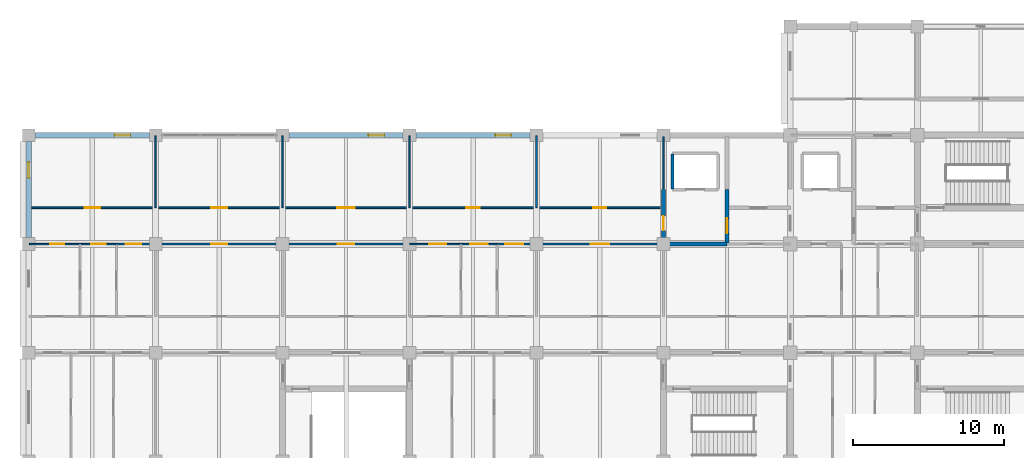
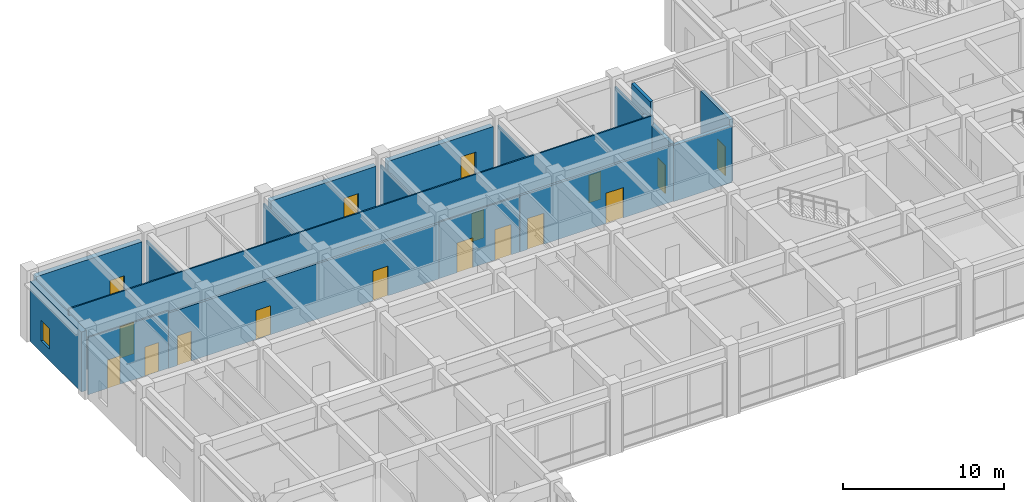
# One storey, part 40 of 58: 18 walls, 16 doors, 4 windows, 20 openings.
"""IFC4 building model written with IfcOpenShell, lengths in metres."""

from ifc_helpers import new_model, si_unit, direction, frame, frame_2d, origin, place, context, subcontext, project, spatial, rectangle, extrude, material, layer, layer_set, type_object, element, fill, save


model = new_model("IFC4")

# Units and contexts
model_context = context("Model", 3, precision=1e-05, world=origin(), true_north=direction((0.0, 1.0)))
body_context = subcontext(model_context, "Body", "Model", "MODEL_VIEW")
ifc_project = project(units=[si_unit("LENGTHUNIT", "METRE"), si_unit("AREAUNIT", "SQUARE_METRE"), si_unit("VOLUMEUNIT", "CUBIC_METRE"), si_unit("PLANEANGLEUNIT", "RADIAN"), si_unit("MASSUNIT", "GRAM", prefix="KILO")], contexts=[model_context])

# Site, building, storey
site_placement = place(None, origin())
site = spatial("IfcSite", under=ifc_project, at=site_placement, CompositionType="ELEMENT")
building_placement = place(site_placement, origin())
building = spatial("IfcBuilding", under=site, at=building_placement, Name="Chengyuan Square Courthouse", CompositionType="ELEMENT")
storey_placement = place(building_placement, frame((0.0, 0.0, 16.199951171875)))
storey = spatial("IfcBuildingStorey", under=building, at=storey_placement, Name="L04", CompositionType="ELEMENT", Elevation=16.199951171875)

# Wall, opening, window
ifc_material_1 = material(Name="Concrete C40", Category="concrete")
ifc_layer_1 = layer(ifc_material_1, 0.3798828125)
ifc_layer_set_1 = layer_set([ifc_layer_1], Name="Concrete C40")
wall_type_1 = type_object("IfcWallType", Name="WL-EW1", PredefinedType="STANDARD", material=ifc_layer_set_1)
wall_1_placement = place(storey_placement, frame((0.419921875, 108.0, 0.0), z_axis=(0.0, 0.0, 1.0), x_axis=(1.0, 0.0, 0.0)))
wall_1 = element("IfcWall", 1, at=wall_1_placement, inside=storey, type_object=wall_type_1, Name="Exterior Wall WL-L04-E303", PredefinedType="STANDARD", context=body_context, shape_type="SweptSolid", body=[
    extrude(rectangle(XDim=7.56005859375, YDim=0.3798828125, at=frame_2d((3.780029296875, 0.0))), origin(), (0.0, 0.0, 1.0), 4.550048828125),
])
opening_1_placement = place(wall_1_placement, frame((5.2548828125, 0.0, 0.85009765625)))
opening_1 = element("IfcOpeningElement", 2, at=opening_1_placement, cuts=wall_1, Name="Opening WN-089", PredefinedType="OPENING", context=body_context, shape_type="SweptSolid", body=[
    extrude(rectangle(XDim=1.050048828125, YDim=1.56005859375, at=frame_2d((0.52490234375, 0.780029296875))), frame((0.0, 0.201904296875, 0.0), z_axis=(0.0, -1.0, 0.0), x_axis=(1.0, 0.0, 0.0)), (0.0, 0.0, 1.0), 0.40380859375),
])
ifc_material_2 = material(Name="Thermally Broken Aluminium Triple Low-E Window", Category="aluminium")
window_type_1 = type_object("IfcWindowType", Name="WT-09", PartitioningType="SINGLE_PANEL", PredefinedType="WINDOW", material=ifc_material_2)
window_1_placement = place(opening_1_placement, origin())
window_1 = element("IfcWindow", 3, at=window_1_placement, inside=storey, type_object=window_type_1, Name="Facade Window WN-089", OverallHeight=1.56005859375, OverallWidth=1.050048828125, PartitioningType="SINGLE_PANEL", PredefinedType="WINDOW", context=body_context, shape_type="SweptSolid", body=[
    extrude(rectangle(XDim=1.050048828125, YDim=1.56005859375, at=frame_2d((0.52490234375, 0.780029296875))), frame((0.0, 0.030029296875, 0.0), z_axis=(0.0, -1.0, 0.0), x_axis=(1.0, 0.0, 0.0)), (0.0, 0.0, 1.0), 0.06005859375),
])
fill(opening_1, window_1)

wall_2_placement = place(storey_placement, frame((0.0, 101.219970703125, 0.0), z_axis=(0.0, 0.0, 1.0), x_axis=(0.0, 1.0, 0.0)))
wall_2 = element("IfcWall", 4, at=wall_2_placement, inside=storey, type_object=wall_type_1, Name="Exterior Wall WL-L04-E304", PredefinedType="STANDARD", context=body_context, shape_type="SweptSolid", body=[
    extrude(rectangle(XDim=6.360107421875, YDim=0.3798828125, at=frame_2d((3.18017578125, 0.0))), origin(), (0.0, 0.0, 1.0), 4.550048828125),
])
opening_2_placement = place(wall_2_placement, frame((3.955078125, 0.0, 0.85009765625)))
opening_2 = element("IfcOpeningElement", 5, at=opening_2_placement, cuts=wall_2, Name="Opening WN-090", PredefinedType="OPENING", context=body_context, shape_type="SweptSolid", body=[
    extrude(rectangle(XDim=1.050048828125, YDim=1.56005859375, at=frame_2d((0.52490234375, 0.780029296875))), frame((0.0, 0.201904296875, 0.0), z_axis=(0.0, -1.0, 0.0), x_axis=(1.0, 0.0, 0.0)), (0.0, 0.0, 1.0), 0.40380859375),
])
window_2_placement = place(opening_2_placement, origin())
window_2 = element("IfcWindow", 6, at=window_2_placement, inside=storey, type_object=window_type_1, Name="Facade Window WN-090", OverallHeight=1.56005859375, OverallWidth=1.050048828125, PartitioningType="SINGLE_PANEL", PredefinedType="WINDOW", context=body_context, shape_type="SweptSolid", body=[
    extrude(rectangle(XDim=1.050048828125, YDim=1.56005859375, at=frame_2d((0.52490234375, 0.780029296875))), frame((0.0, 0.030029296875, 0.0), z_axis=(0.0, -1.0, 0.0), x_axis=(1.0, 0.0, 0.0)), (0.0, 0.0, 1.0), 0.06005859375),
])
fill(opening_2, window_2)

wall_3_placement = place(storey_placement, frame((17.219970703125, 108.0, 0.0), z_axis=(0.0, 0.0, 1.0), x_axis=(1.0, 0.0, 0.0)))
wall_3 = element("IfcWall", 7, at=wall_3_placement, inside=storey, type_object=wall_type_1, Name="Exterior Wall WL-L04-E310", PredefinedType="STANDARD", context=body_context, shape_type="SweptSolid", body=[
    extrude(rectangle(XDim=7.56005859375, YDim=0.3798828125, at=frame_2d((3.780029296875, 0.0))), origin(), (0.0, 0.0, 1.0), 4.400146484375),
])
opening_3_placement = place(wall_3_placement, frame((5.2548828125, 0.0, 0.85009765625)))
opening_3 = element("IfcOpeningElement", 8, at=opening_3_placement, cuts=wall_3, Name="Opening WN-094", PredefinedType="OPENING", context=body_context, shape_type="SweptSolid", body=[
    extrude(rectangle(XDim=1.050048828125, YDim=1.919921875, at=frame_2d((0.52490234375, 0.9599609375))), frame((0.0, 0.201904296875, 0.0), z_axis=(0.0, -1.0, 0.0), x_axis=(1.0, 0.0, 0.0)), (0.0, 0.0, 1.0), 0.40380859375),
])
window_type_2 = type_object("IfcWindowType", Name="WT-11", PartitioningType="SINGLE_PANEL", PredefinedType="WINDOW", material=ifc_material_2)
window_3_placement = place(opening_3_placement, origin())
window_3 = element("IfcWindow", 9, at=window_3_placement, inside=storey, type_object=window_type_2, Name="Facade Window WN-094", OverallHeight=1.919921875, OverallWidth=1.050048828125, PartitioningType="SINGLE_PANEL", PredefinedType="WINDOW", context=body_context, shape_type="SweptSolid", body=[
    extrude(rectangle(XDim=1.050048828125, YDim=1.919921875, at=frame_2d((0.52490234375, 0.9599609375))), frame((0.0, 0.030029296875, 0.0), z_axis=(0.0, -1.0, 0.0), x_axis=(1.0, 0.0, 0.0)), (0.0, 0.0, 1.0), 0.06005859375),
])
fill(opening_3, window_3)

wall_4_placement = place(storey_placement, frame((25.6201171875, 108.0, 0.0), z_axis=(0.0, 0.0, 1.0), x_axis=(1.0, 0.0, 0.0)))
wall_4 = element("IfcWall", 10, at=wall_4_placement, inside=storey, type_object=wall_type_1, Name="Exterior Wall WL-L04-E311", PredefinedType="STANDARD", context=body_context, shape_type="SweptSolid", body=[
    extrude(rectangle(XDim=7.559814453125, YDim=0.3798828125, at=frame_2d((3.77978515625, 0.0))), origin(), (0.0, 0.0, 1.0), 4.469970703125),
])
opening_4_placement = place(wall_4_placement, frame((5.2548828125, 0.0, 0.85009765625)))
opening_4 = element("IfcOpeningElement", 11, at=opening_4_placement, cuts=wall_4, Name="Opening WN-095", PredefinedType="OPENING", context=body_context, shape_type="SweptSolid", body=[
    extrude(rectangle(XDim=1.050048828125, YDim=2.1201171875, at=frame_2d((0.52490234375, 1.06005859375))), frame((0.0, 0.201904296875, 0.0), z_axis=(0.0, -1.0, 0.0), x_axis=(1.0, 0.0, 0.0)), (0.0, 0.0, 1.0), 0.40380859375),
])
window_type_3 = type_object("IfcWindowType", Name="WT-12", PartitioningType="SINGLE_PANEL", PredefinedType="WINDOW", material=ifc_material_2)
window_4_placement = place(opening_4_placement, origin())
window_4 = element("IfcWindow", 12, at=window_4_placement, inside=storey, type_object=window_type_3, Name="Facade Window WN-095", OverallHeight=2.1201171875, OverallWidth=1.050048828125, PartitioningType="SINGLE_PANEL", PredefinedType="WINDOW", context=body_context, shape_type="SweptSolid", body=[
    extrude(rectangle(XDim=1.050048828125, YDim=2.1201171875, at=frame_2d((0.52490234375, 1.06005859375))), frame((0.0, 0.030029296875, 0.0), z_axis=(0.0, -1.0, 0.0), x_axis=(1.0, 0.0, 0.0)), (0.0, 0.0, 1.0), 0.06005859375),
])
fill(opening_4, window_4)

# Wall
ifc_layer_2 = layer(ifc_material_1, 0.25)
ifc_layer_set_2 = layer_set([ifc_layer_2], Name="Concrete C40")
wall_type_2 = type_object("IfcWallType", Name="WL-FW1", PredefinedType="STANDARD", material=ifc_layer_set_2)
wall_5_placement = place(storey_placement, frame((42.0, 100.800048828125, 0.0), z_axis=(0.0, 0.0, 1.0), x_axis=(1.0, 0.0, 0.0)))
element("IfcWall", 13, at=wall_5_placement, inside=storey, type_object=wall_type_2, Name="Interior Wall WL-L04-I1840", PredefinedType="STANDARD", context=body_context, shape_type="SweptSolid", body=[
    extrude(rectangle(XDim=4.199951171875, YDim=0.25, at=frame_2d((2.10009765625, 0.0))), origin(), (0.0, 0.0, 1.0), 4.27001953125),
])

# Wall, opening, door
wall_6_placement = place(storey_placement, frame((42.0, 100.800048828125, 0.0), z_axis=(0.0, 0.0, 1.0), x_axis=(0.0, 1.0, 0.0)))
wall_6 = element("IfcWall", 14, at=wall_6_placement, inside=storey, type_object=wall_type_2, Name="Interior Wall WL-L04-I1949", PredefinedType="STANDARD", context=body_context, shape_type="SweptSolid", body=[
    extrude(rectangle(XDim=3.599853515625, YDim=0.25, at=frame_2d((1.7998046875, 0.0))), origin(), (0.0, 0.0, 1.0), 4.3701171875),
])
opening_5_placement = place(wall_6_placement, frame((0.8974609375, 0.0, 0.0)))
opening_5 = element("IfcOpeningElement", 15, at=opening_5_placement, cuts=wall_6, Name="Opening DR-1678", PredefinedType="OPENING", context=body_context, shape_type="SweptSolid", body=[
    extrude(rectangle(XDim=0.949951171875, YDim=2.14990234375, at=frame_2d((0.47509765625, 1.074951171875))), frame((0.0, 0.136962890625, 0.0), z_axis=(0.0, -1.0, 0.0), x_axis=(1.0, 0.0, 0.0)), (0.0, 0.0, 1.0), 0.27392578125),
])
ifc_material_3 = material(Name="Steel Q235B Fire Door", Category="steel")
door_type_1 = type_object("IfcDoorType", Name="DT-12", OperationType="NOTDEFINED", PredefinedType="DOOR", material=ifc_material_3)
door_1_placement = place(opening_5_placement, origin())
door_1 = element("IfcDoor", 16, at=door_1_placement, inside=storey, type_object=door_type_1, Name="Interior Door DR-1678", OperationType="SINGLE_SWING_RIGHT", OverallHeight=2.14990234375, OverallWidth=0.949951171875, PredefinedType="DOOR", context=body_context, shape_type="SweptSolid", body=[
    extrude(rectangle(XDim=0.949951171875, YDim=2.14990234375, at=frame_2d((0.47509765625, 1.074951171875))), frame((0.0, 0.02490234375, 0.0), z_axis=(0.0, -1.0, 0.0), x_axis=(1.0, 0.0, 0.0)), (0.0, 0.0, 1.0), 0.050048828125),
])
fill(opening_5, door_1)

wall_7_placement = place(storey_placement, frame((46.199951171875, 100.800048828125, 0.0), z_axis=(0.0, 0.0, 1.0), x_axis=(0.0, 1.0, 0.0)))
wall_7 = element("IfcWall", 17, at=wall_7_placement, inside=storey, type_object=wall_type_2, Name="Interior Wall WL-L04-I1953", PredefinedType="STANDARD", context=body_context, shape_type="SweptSolid", body=[
    extrude(rectangle(XDim=3.599853515625, YDim=0.25, at=frame_2d((1.7998046875, 0.0))), origin(), (0.0, 0.0, 1.0), 4.719970703125),
])
opening_6_placement = place(wall_7_placement, frame((0.699951171875, 0.0, 0.0)))
opening_6 = element("IfcOpeningElement", 18, at=opening_6_placement, cuts=wall_7, Name="Opening DR-1677", PredefinedType="OPENING", context=body_context, shape_type="SweptSolid", body=[
    extrude(rectangle(XDim=1.0, YDim=2.199951171875, at=frame_2d((0.5, 1.10009765625))), frame((0.0, 0.136962890625, 0.0), z_axis=(0.0, -1.0, 0.0), x_axis=(1.0, 0.0, 0.0)), (0.0, 0.0, 1.0), 0.27392578125),
])
door_type_2 = type_object("IfcDoorType", Name="DT-11", OperationType="NOTDEFINED", PredefinedType="DOOR", material=ifc_material_3)
door_2_placement = place(opening_6_placement, origin())
door_2 = element("IfcDoor", 19, at=door_2_placement, inside=storey, type_object=door_type_2, Name="Interior Door DR-1677", OperationType="SINGLE_SWING_LEFT", OverallHeight=2.199951171875, OverallWidth=1.0, PredefinedType="DOOR", context=body_context, shape_type="SweptSolid", body=[
    extrude(rectangle(XDim=1.0, YDim=2.199951171875, at=frame_2d((0.5, 1.10009765625))), frame((0.0, 0.02490234375, 0.0), z_axis=(0.0, -1.0, 0.0), x_axis=(1.0, 0.0, 0.0)), (0.0, 0.0, 1.0), 0.050048828125),
])
fill(opening_6, door_2)

# Wall, openings, doors
ifc_material_4 = material(Name="Deliberation Room Sound-Insulated Partition")
ifc_layer_3 = layer(ifc_material_4, 0.14990234375)
ifc_layer_set_3 = layer_set([ifc_layer_3], Name="Deliberation Room Sound-Insulated Partition")
wall_type_3 = type_object("IfcWallType", Name="WL-PT3", PredefinedType="STANDARD", material=ifc_layer_set_3)
wall_8_placement = place(storey_placement, frame((5.800048828125, 100.800048828125, 0.0), z_axis=(0.0, 0.0, 1.0), x_axis=(1.0, 0.0, 0.0)))
wall_8 = element("IfcWall", 20, at=wall_8_placement, inside=storey, type_object=wall_type_3, Name="Interior Wall WL-L04-I1837", PredefinedType="STANDARD", context=body_context, shape_type="SweptSolid", body=[
    extrude(rectangle(XDim=19.39990234375, YDim=0.14990234375, at=frame_2d((9.699951171875, 0.0))), origin(), (0.0, 0.0, 1.0), 4.199951171875),
])
opening_7_placement = place(wall_8_placement, frame((0.62744140625, 0.0, 0.0)))
opening_7 = element("IfcOpeningElement", 21, at=opening_7_placement, cuts=wall_8, Name="Opening DR-1717", PredefinedType="OPENING", context=body_context, shape_type="SweptSolid", body=[
    extrude(rectangle(XDim=1.0, YDim=2.25, at=frame_2d((0.5, 1.125))), frame((0.0, 0.0869140625, 0.0), z_axis=(0.0, -1.0, 0.0), x_axis=(1.0, 0.0, 0.0)), (0.0, 0.0, 1.0), 0.173828125),
])
opening_8_placement = place(wall_8_placement, frame((6.280029296875, 0.0, 0.0)))
opening_8 = element("IfcOpeningElement", 22, at=opening_8_placement, cuts=wall_8, Name="Opening DR-1718", PredefinedType="OPENING", context=body_context, shape_type="SweptSolid", body=[
    extrude(rectangle(XDim=1.0400390625, YDim=2.199951171875, at=frame_2d((0.52001953125, 1.10009765625))), frame((0.0, 0.0869140625, 0.0), z_axis=(0.0, -1.0, 0.0), x_axis=(1.0, 0.0, 0.0)), (0.0, 0.0, 1.0), 0.173828125),
])
opening_9_placement = place(wall_8_placement, frame((14.659912109375, 0.0, 0.0)))
opening_9 = element("IfcOpeningElement", 23, at=opening_9_placement, cuts=wall_8, Name="Opening DR-1719", PredefinedType="OPENING", context=body_context, shape_type="SweptSolid", body=[
    extrude(rectangle(XDim=1.080078125, YDim=2.25, at=frame_2d((0.5400390625, 1.125))), frame((0.0, 0.0869140625, 0.0), z_axis=(0.0, -1.0, 0.0), x_axis=(1.0, 0.0, 0.0)), (0.0, 0.0, 1.0), 0.173828125),
])
ifc_material_5 = material(Name="Acoustic Solid-Core Timber Door", Category="wood")
door_type_3 = type_object("IfcDoorType", Name="DT-31", OperationType="NOTDEFINED", PredefinedType="DOOR", material=ifc_material_5)
door_3_placement = place(opening_7_placement, origin())
door_3 = element("IfcDoor", 24, at=door_3_placement, inside=storey, type_object=door_type_3, Name="Interior Door DR-1717", OperationType="SINGLE_SWING_RIGHT", OverallHeight=2.25, OverallWidth=1.0, PredefinedType="DOOR", context=body_context, shape_type="SweptSolid", body=[
    extrude(rectangle(XDim=1.0, YDim=2.25, at=frame_2d((0.5, 1.125))), frame((0.0, 0.02490234375, 0.0), z_axis=(0.0, -1.0, 0.0), x_axis=(1.0, 0.0, 0.0)), (0.0, 0.0, 1.0), 0.050048828125),
])
fill(opening_7, door_3)
door_type_4 = type_object("IfcDoorType", Name="DT-32", OperationType="NOTDEFINED", PredefinedType="DOOR", material=ifc_material_5)
door_4_placement = place(opening_8_placement, origin())
door_4 = element("IfcDoor", 25, at=door_4_placement, inside=storey, type_object=door_type_4, Name="Interior Door DR-1718", OperationType="SINGLE_SWING_LEFT", OverallHeight=2.199951171875, OverallWidth=1.0400390625, PredefinedType="DOOR", context=body_context, shape_type="SweptSolid", body=[
    extrude(rectangle(XDim=1.0400390625, YDim=2.199951171875, at=frame_2d((0.52001953125, 1.10009765625))), frame((0.0, 0.02490234375, 0.0), z_axis=(0.0, -1.0, 0.0), x_axis=(1.0, 0.0, 0.0)), (0.0, 0.0, 1.0), 0.050048828125),
])
fill(opening_8, door_4)
door_type_5 = type_object("IfcDoorType", Name="DT-33", OperationType="NOTDEFINED", PredefinedType="DOOR", material=ifc_material_5)
door_5_placement = place(opening_9_placement, origin())
door_5 = element("IfcDoor", 26, at=door_5_placement, inside=storey, type_object=door_type_5, Name="Interior Door DR-1719", OperationType="SINGLE_SWING_RIGHT", OverallHeight=2.25, OverallWidth=1.080078125, PredefinedType="DOOR", context=body_context, shape_type="SweptSolid", body=[
    extrude(rectangle(XDim=1.080078125, YDim=2.25, at=frame_2d((0.5400390625, 1.125))), frame((0.0, 0.02490234375, 0.0), z_axis=(0.0, -1.0, 0.0), x_axis=(1.0, 0.0, 0.0)), (0.0, 0.0, 1.0), 0.050048828125),
])
fill(opening_9, door_5)

wall_9_placement = place(storey_placement, frame((31.0, 100.800048828125, 0.0), z_axis=(0.0, 0.0, 1.0), x_axis=(1.0, 0.0, 0.0)))
wall_9 = element("IfcWall", 27, at=wall_9_placement, inside=storey, type_object=wall_type_3, Name="Interior Wall WL-L04-I1839", PredefinedType="STANDARD", context=body_context, shape_type="SweptSolid", body=[
    extrude(rectangle(XDim=11.0, YDim=0.14990234375, at=frame_2d((5.5, 0.0))), origin(), (0.0, 0.0, 1.0), 4.27001953125),
])
opening_10_placement = place(wall_9_placement, frame((0.527587890625, 0.0, 0.0)))
opening_10 = element("IfcOpeningElement", 28, at=opening_10_placement, cuts=wall_9, Name="Opening DR-1722", PredefinedType="OPENING", context=body_context, shape_type="SweptSolid", body=[
    extrude(rectangle(XDim=1.199951171875, YDim=2.35009765625, at=frame_2d((0.60009765625, 1.175048828125))), frame((0.0, 0.0869140625, 0.0), z_axis=(0.0, -1.0, 0.0), x_axis=(1.0, 0.0, 0.0)), (0.0, 0.0, 1.0), 0.173828125),
])
opening_11_placement = place(wall_9_placement, frame((6.179931640625, 0.0, 0.0)))
opening_11 = element("IfcOpeningElement", 29, at=opening_11_placement, cuts=wall_9, Name="Opening DR-1723", PredefinedType="OPENING", context=body_context, shape_type="SweptSolid", body=[
    extrude(rectangle(XDim=1.239990234375, YDim=2.300048828125, at=frame_2d((0.6201171875, 1.14990234375))), frame((0.0, 0.0869140625, 0.0), z_axis=(0.0, -1.0, 0.0), x_axis=(1.0, 0.0, 0.0)), (0.0, 0.0, 1.0), 0.173828125),
])
door_type_6 = type_object("IfcDoorType", Name="DT-36", OperationType="NOTDEFINED", PredefinedType="DOOR", material=ifc_material_5)
door_6_placement = place(opening_10_placement, origin())
door_6 = element("IfcDoor", 30, at=door_6_placement, inside=storey, type_object=door_type_6, Name="Interior Door DR-1722", OperationType="SINGLE_SWING_LEFT", OverallHeight=2.35009765625, OverallWidth=1.199951171875, PredefinedType="DOOR", context=body_context, shape_type="SweptSolid", body=[
    extrude(rectangle(XDim=1.199951171875, YDim=2.35009765625, at=frame_2d((0.60009765625, 1.175048828125))), frame((0.0, 0.02490234375, 0.0), z_axis=(0.0, -1.0, 0.0), x_axis=(1.0, 0.0, 0.0)), (0.0, 0.0, 1.0), 0.050048828125),
])
fill(opening_10, door_6)
door_type_7 = type_object("IfcDoorType", Name="DT-37", OperationType="NOTDEFINED", PredefinedType="DOOR", material=ifc_material_5)
door_7_placement = place(opening_11_placement, origin())
door_7 = element("IfcDoor", 31, at=door_7_placement, inside=storey, type_object=door_type_7, Name="Interior Door DR-1723", OperationType="SINGLE_SWING_RIGHT", OverallHeight=2.300048828125, OverallWidth=1.239990234375, PredefinedType="DOOR", context=body_context, shape_type="SweptSolid", body=[
    extrude(rectangle(XDim=1.239990234375, YDim=2.300048828125, at=frame_2d((0.6201171875, 1.14990234375))), frame((0.0, 0.02490234375, 0.0), z_axis=(0.0, -1.0, 0.0), x_axis=(1.0, 0.0, 0.0)), (0.0, 0.0, 1.0), 0.050048828125),
])
fill(opening_11, door_7)

ifc_material_6 = material(Name="Gypsum Plasterboard Acoustic Stud Partition")
ifc_layer_4 = layer(ifc_material_6, 0.10009765625)
ifc_layer_set_4 = layer_set([ifc_layer_4], Name="Gypsum Plasterboard Acoustic Stud Partition")
wall_type_4 = type_object("IfcWallType", Name="WL-PT6", PredefinedType="STANDARD", material=ifc_layer_set_4)
wall_10_placement = place(storey_placement, frame((0.0400390625, 100.800048828125, 0.0), z_axis=(0.0, 0.0, 1.0), x_axis=(1.0, 0.0, 0.0)))
wall_10 = element("IfcWall", 32, at=wall_10_placement, inside=storey, type_object=wall_type_4, Name="Interior Wall WL-L04-I1836", PredefinedType="STANDARD", context=body_context, shape_type="SweptSolid", body=[
    extrude(rectangle(XDim=5.760009765625, YDim=0.10009765625, at=frame_2d((2.8798828125, 0.0))), origin(), (0.0, 0.0, 1.0), 4.35009765625),
])
opening_12_placement = place(wall_10_placement, frame((1.37255859375, 0.0, 0.0)))
opening_12 = element("IfcOpeningElement", 33, at=opening_12_placement, cuts=wall_10, Name="Opening DR-1715", PredefinedType="OPENING", context=body_context, shape_type="SweptSolid", body=[
    extrude(rectangle(XDim=0.919921875, YDim=2.14990234375, at=frame_2d((0.4599609375, 1.074951171875))), frame((0.0, 0.06201171875, 0.0), z_axis=(0.0, -1.0, 0.0), x_axis=(1.0, 0.0, 0.0)), (0.0, 0.0, 1.0), 0.1240234375),
])
opening_13_placement = place(wall_10_placement, frame((4.080078125, 0.0, 0.0)))
opening_13 = element("IfcOpeningElement", 34, at=opening_13_placement, cuts=wall_10, Name="Opening DR-1716", PredefinedType="OPENING", context=body_context, shape_type="SweptSolid", body=[
    extrude(rectangle(XDim=0.9599609375, YDim=2.199951171875, at=frame_2d((0.47998046875, 1.10009765625))), frame((0.0, 0.06201171875, 0.0), z_axis=(0.0, -1.0, 0.0), x_axis=(1.0, 0.0, 0.0)), (0.0, 0.0, 1.0), 0.1240234375),
])
door_type_8 = type_object("IfcDoorType", Name="DT-29", OperationType="NOTDEFINED", PredefinedType="DOOR", material=ifc_material_5)
door_8_placement = place(opening_12_placement, origin())
door_8 = element("IfcDoor", 35, at=door_8_placement, inside=storey, type_object=door_type_8, Name="Interior Door DR-1715", OperationType="SINGLE_SWING_RIGHT", OverallHeight=2.14990234375, OverallWidth=0.919921875, PredefinedType="DOOR", context=body_context, shape_type="SweptSolid", body=[
    extrude(rectangle(XDim=0.919921875, YDim=2.14990234375, at=frame_2d((0.4599609375, 1.074951171875))), frame((0.0, 0.02490234375, 0.0), z_axis=(0.0, -1.0, 0.0), x_axis=(1.0, 0.0, 0.0)), (0.0, 0.0, 1.0), 0.050048828125),
])
fill(opening_12, door_8)
door_type_9 = type_object("IfcDoorType", Name="DT-30", OperationType="NOTDEFINED", PredefinedType="DOOR", material=ifc_material_5)
door_9_placement = place(opening_13_placement, origin())
door_9 = element("IfcDoor", 36, at=door_9_placement, inside=storey, type_object=door_type_9, Name="Interior Door DR-1716", OperationType="SINGLE_SWING_LEFT", OverallHeight=2.199951171875, OverallWidth=0.9599609375, PredefinedType="DOOR", context=body_context, shape_type="SweptSolid", body=[
    extrude(rectangle(XDim=0.9599609375, YDim=2.199951171875, at=frame_2d((0.47998046875, 1.10009765625))), frame((0.0, 0.02490234375, 0.0), z_axis=(0.0, -1.0, 0.0), x_axis=(1.0, 0.0, 0.0)), (0.0, 0.0, 1.0), 0.050048828125),
])
fill(opening_13, door_9)

wall_11_placement = place(storey_placement, frame((25.199951171875, 100.800048828125, 0.0), z_axis=(0.0, 0.0, 1.0), x_axis=(1.0, 0.0, 0.0)))
wall_11 = element("IfcWall", 37, at=wall_11_placement, inside=storey, type_object=wall_type_4, Name="Interior Wall WL-L04-I1838", PredefinedType="STANDARD", context=body_context, shape_type="SweptSolid", body=[
    extrude(rectangle(XDim=5.800048828125, YDim=0.10009765625, at=frame_2d((2.89990234375, 0.0))), origin(), (0.0, 0.0, 1.0), 4.27001953125),
])
opening_14_placement = place(wall_11_placement, frame((1.3125, 0.0, 0.0)))
opening_14 = element("IfcOpeningElement", 38, at=opening_14_placement, cuts=wall_11, Name="Opening DR-1720", PredefinedType="OPENING", context=body_context, shape_type="SweptSolid", body=[
    extrude(rectangle(XDim=1.1201171875, YDim=2.25, at=frame_2d((0.56005859375, 1.125))), frame((0.0, 0.06201171875, 0.0), z_axis=(0.0, -1.0, 0.0), x_axis=(1.0, 0.0, 0.0)), (0.0, 0.0, 1.0), 0.1240234375),
])
opening_15_placement = place(wall_11_placement, frame((4.02001953125, 0.0, 0.0)))
opening_15 = element("IfcOpeningElement", 39, at=opening_15_placement, cuts=wall_11, Name="Opening DR-1721", PredefinedType="OPENING", context=body_context, shape_type="SweptSolid", body=[
    extrude(rectangle(XDim=1.159912109375, YDim=2.300048828125, at=frame_2d((0.580078125, 1.14990234375))), frame((0.0, 0.06201171875, 0.0), z_axis=(0.0, -1.0, 0.0), x_axis=(1.0, 0.0, 0.0)), (0.0, 0.0, 1.0), 0.1240234375),
])
door_type_10 = type_object("IfcDoorType", Name="DT-34", OperationType="NOTDEFINED", PredefinedType="DOOR", material=ifc_material_5)
door_10_placement = place(opening_14_placement, origin())
door_10 = element("IfcDoor", 40, at=door_10_placement, inside=storey, type_object=door_type_10, Name="Interior Door DR-1720", OperationType="SINGLE_SWING_LEFT", OverallHeight=2.25, OverallWidth=1.1201171875, PredefinedType="DOOR", context=body_context, shape_type="SweptSolid", body=[
    extrude(rectangle(XDim=1.1201171875, YDim=2.25, at=frame_2d((0.56005859375, 1.125))), frame((0.0, 0.02490234375, 0.0), z_axis=(0.0, -1.0, 0.0), x_axis=(1.0, 0.0, 0.0)), (0.0, 0.0, 1.0), 0.050048828125),
])
fill(opening_14, door_10)
door_type_11 = type_object("IfcDoorType", Name="DT-35", OperationType="NOTDEFINED", PredefinedType="DOOR", material=ifc_material_5)
door_11_placement = place(opening_15_placement, origin())
door_11 = element("IfcDoor", 41, at=door_11_placement, inside=storey, type_object=door_type_11, Name="Interior Door DR-1721", OperationType="SINGLE_SWING_RIGHT", OverallHeight=2.300048828125, OverallWidth=1.159912109375, PredefinedType="DOOR", context=body_context, shape_type="SweptSolid", body=[
    extrude(rectangle(XDim=1.159912109375, YDim=2.300048828125, at=frame_2d((0.580078125, 1.14990234375))), frame((0.0, 0.02490234375, 0.0), z_axis=(0.0, -1.0, 0.0), x_axis=(1.0, 0.0, 0.0)), (0.0, 0.0, 1.0), 0.050048828125),
])
fill(opening_15, door_11)

wall_12_placement = place(storey_placement, frame((0.0400390625, 103.199951171875, 0.0), z_axis=(0.0, 0.0, 1.0), x_axis=(1.0, 0.0, 0.0)))
wall_12 = element("IfcWall", 42, at=wall_12_placement, inside=storey, type_object=wall_type_4, Name="Interior Wall WL-L04-I1859", PredefinedType="STANDARD", context=body_context, shape_type="SweptSolid", body=[
    extrude(rectangle(XDim=41.9599609375, YDim=0.10009765625, at=frame_2d((20.97998046875, 0.0))), origin(), (0.0, 0.0, 1.0), 5.050048828125),
])
opening_16_placement = place(wall_12_placement, frame((3.669921875, 0.0, 0.0)))
opening_16 = element("IfcOpeningElement", 43, at=opening_16_placement, cuts=wall_12, Name="Opening DR-1710", PredefinedType="OPENING", context=body_context, shape_type="SweptSolid", body=[
    extrude(rectangle(XDim=1.02001953125, YDim=2.39990234375, at=frame_2d((0.510009765625, 1.199951171875))), frame((0.0, 0.06201171875, 0.0), z_axis=(0.0, -1.0, 0.0), x_axis=(1.0, 0.0, 0.0)), (0.0, 0.0, 1.0), 0.1240234375),
])
opening_17_placement = place(wall_12_placement, frame((12.030029296875, 0.0, 0.0)))
opening_17 = element("IfcOpeningElement", 44, at=opening_17_placement, cuts=wall_12, Name="Opening DR-1711", PredefinedType="OPENING", context=body_context, shape_type="SweptSolid", body=[
    extrude(rectangle(XDim=1.06005859375, YDim=2.39990234375, at=frame_2d((0.530029296875, 1.199951171875))), frame((0.0, 0.06201171875, 0.0), z_axis=(0.0, -1.0, 0.0), x_axis=(1.0, 0.0, 0.0)), (0.0, 0.0, 1.0), 0.1240234375),
])
opening_18_placement = place(wall_12_placement, frame((20.389892578125, 0.0, 0.0)))
opening_18 = element("IfcOpeningElement", 45, at=opening_18_placement, cuts=wall_12, Name="Opening DR-1712", PredefinedType="OPENING", context=body_context, shape_type="SweptSolid", body=[
    extrude(rectangle(XDim=1.139892578125, YDim=2.39990234375, at=frame_2d((0.56982421875, 1.199951171875))), frame((0.0, 0.06201171875, 0.0), z_axis=(0.0, -1.0, 0.0), x_axis=(1.0, 0.0, 0.0)), (0.0, 0.0, 1.0), 0.1240234375),
])
opening_19_placement = place(wall_12_placement, frame((28.909912109375, 0.0, 0.0)))
opening_19 = element("IfcOpeningElement", 46, at=opening_19_placement, cuts=wall_12, Name="Opening DR-1713", PredefinedType="OPENING", context=body_context, shape_type="SweptSolid", body=[
    extrude(rectangle(XDim=0.89990234375, YDim=2.14990234375, at=frame_2d((0.449951171875, 1.074951171875))), frame((0.0, 0.06201171875, 0.0), z_axis=(0.0, -1.0, 0.0), x_axis=(1.0, 0.0, 0.0)), (0.0, 0.0, 1.0), 0.1240234375),
])
opening_20_placement = place(wall_12_placement, frame((37.330078125, 0.0, 0.0)))
opening_20 = element("IfcOpeningElement", 47, at=opening_20_placement, cuts=wall_12, Name="Opening DR-1714", PredefinedType="OPENING", context=body_context, shape_type="SweptSolid", body=[
    extrude(rectangle(XDim=0.860107421875, YDim=2.10009765625, at=frame_2d((0.43017578125, 1.050048828125))), frame((0.0, 0.06201171875, 0.0), z_axis=(0.0, -1.0, 0.0), x_axis=(1.0, 0.0, 0.0)), (0.0, 0.0, 1.0), 0.1240234375),
])
door_type_12 = type_object("IfcDoorType", Name="DT-27", OperationType="NOTDEFINED", PredefinedType="DOOR", material=ifc_material_5)
door_12_placement = place(opening_19_placement, origin())
door_12 = element("IfcDoor", 48, at=door_12_placement, inside=storey, type_object=door_type_12, Name="Interior Door DR-1713", OperationType="SINGLE_SWING_RIGHT", OverallHeight=2.14990234375, OverallWidth=0.89990234375, PredefinedType="DOOR", context=body_context, shape_type="SweptSolid", body=[
    extrude(rectangle(XDim=0.89990234375, YDim=2.14990234375, at=frame_2d((0.449951171875, 1.074951171875))), frame((0.0, 0.02490234375, 0.0), z_axis=(0.0, -1.0, 0.0), x_axis=(1.0, 0.0, 0.0)), (0.0, 0.0, 1.0), 0.050048828125),
])
fill(opening_19, door_12)
door_type_13 = type_object("IfcDoorType", Name="DT-28", OperationType="NOTDEFINED", PredefinedType="DOOR", material=ifc_material_5)
door_13_placement = place(opening_20_placement, origin())
door_13 = element("IfcDoor", 49, at=door_13_placement, inside=storey, type_object=door_type_13, Name="Interior Door DR-1714", OperationType="SINGLE_SWING_LEFT", OverallHeight=2.10009765625, OverallWidth=0.860107421875, PredefinedType="DOOR", context=body_context, shape_type="SweptSolid", body=[
    extrude(rectangle(XDim=0.860107421875, YDim=2.10009765625, at=frame_2d((0.43017578125, 1.050048828125))), frame((0.0, 0.02490234375, 0.0), z_axis=(0.0, -1.0, 0.0), x_axis=(1.0, 0.0, 0.0)), (0.0, 0.0, 1.0), 0.050048828125),
])
fill(opening_20, door_13)
door_type_14 = type_object("IfcDoorType", Name="DT-41", OperationType="NOTDEFINED", PredefinedType="DOOR", material=ifc_material_5)
door_14_placement = place(opening_16_placement, origin())
door_14 = element("IfcDoor", 50, at=door_14_placement, inside=storey, type_object=door_type_14, Name="Interior Door DR-1710", OperationType="SINGLE_SWING_LEFT", OverallHeight=2.39990234375, OverallWidth=1.02001953125, PredefinedType="DOOR", context=body_context, shape_type="SweptSolid", body=[
    extrude(rectangle(XDim=1.02001953125, YDim=2.39990234375, at=frame_2d((0.510009765625, 1.199951171875))), frame((0.0, 0.02490234375, 0.0), z_axis=(0.0, -1.0, 0.0), x_axis=(1.0, 0.0, 0.0)), (0.0, 0.0, 1.0), 0.050048828125),
])
fill(opening_16, door_14)
door_type_15 = type_object("IfcDoorType", Name="DT-42", OperationType="NOTDEFINED", PredefinedType="DOOR", material=ifc_material_5)
door_15_placement = place(opening_17_placement, origin())
door_15 = element("IfcDoor", 51, at=door_15_placement, inside=storey, type_object=door_type_15, Name="Interior Door DR-1711", OperationType="SINGLE_SWING_RIGHT", OverallHeight=2.39990234375, OverallWidth=1.06005859375, PredefinedType="DOOR", context=body_context, shape_type="SweptSolid", body=[
    extrude(rectangle(XDim=1.06005859375, YDim=2.39990234375, at=frame_2d((0.530029296875, 1.199951171875))), frame((0.0, 0.02490234375, 0.0), z_axis=(0.0, -1.0, 0.0), x_axis=(1.0, 0.0, 0.0)), (0.0, 0.0, 1.0), 0.050048828125),
])
fill(opening_17, door_15)
door_type_16 = type_object("IfcDoorType", Name="DT-43", OperationType="NOTDEFINED", PredefinedType="DOOR", material=ifc_material_5)
door_16_placement = place(opening_18_placement, origin())
door_16 = element("IfcDoor", 52, at=door_16_placement, inside=storey, type_object=door_type_16, Name="Interior Door DR-1712", OperationType="SINGLE_SWING_LEFT", OverallHeight=2.39990234375, OverallWidth=1.139892578125, PredefinedType="DOOR", context=body_context, shape_type="SweptSolid", body=[
    extrude(rectangle(XDim=1.139892578125, YDim=2.39990234375, at=frame_2d((0.56982421875, 1.199951171875))), frame((0.0, 0.02490234375, 0.0), z_axis=(0.0, -1.0, 0.0), x_axis=(1.0, 0.0, 0.0)), (0.0, 0.0, 1.0), 0.050048828125),
])
fill(opening_18, door_16)

# Walls
wall_13_placement = place(storey_placement, frame((8.39990234375, 103.199951171875, 0.0), z_axis=(0.0, 0.0, 1.0), x_axis=(0.0, 1.0, 0.0)))
element("IfcWall", 53, at=wall_13_placement, inside=storey, type_object=wall_type_4, Name="Interior Wall WL-L04-I1922", PredefinedType="STANDARD", context=body_context, shape_type="SweptSolid", body=[
    extrude(rectangle(XDim=4.760009765625, YDim=0.10009765625, at=frame_2d((2.3798828125, 0.0))), origin(), (0.0, 0.0, 1.0), 4.449951171875),
])
for number, where, z_axis, x_axis, name in (
    (54, (16.800048828125, 103.199951171875, 0.0), (0.0, 0.0, 1.0), (0.0, 1.0, 0.0), "Interior Wall WL-L04-I1931"),
    (55, (25.199951171875, 103.199951171875, 0.0), (0.0, 0.0, 1.0), (0.0, 1.0, 0.0), "Interior Wall WL-L04-I1936"),
):
    element("IfcWall", number, at=place(storey_placement, frame(where, z_axis=z_axis, x_axis=x_axis)), inside=storey, type_object=wall_type_4, Name=name, PredefinedType="STANDARD", context=body_context, shape_type="SweptSolid", body=[
        extrude(rectangle(XDim=4.760009765625, YDim=0.10009765625, at=frame_2d((2.3798828125, 0.0))), origin(), (0.0, 0.0, 1.0), 4.300048828125),
    ])
wall_14_placement = place(storey_placement, frame((33.60009765625, 103.199951171875, 0.0), z_axis=(0.0, 0.0, 1.0), x_axis=(0.0, 1.0, 0.0)))
element("IfcWall", 56, at=wall_14_placement, inside=storey, type_object=wall_type_4, Name="Interior Wall WL-L04-I1944", PredefinedType="STANDARD", context=body_context, shape_type="SweptSolid", body=[
    extrude(rectangle(XDim=4.760009765625, YDim=0.10009765625, at=frame_2d((2.3798828125, 0.0))), origin(), (0.0, 0.0, 1.0), 4.3701171875),
])
wall_15_placement = place(storey_placement, frame((42.0, 104.449951171875, 0.0), z_axis=(0.0, 0.0, 1.0), x_axis=(0.0, 1.0, 0.0)))
element("IfcWall", 57, at=wall_15_placement, inside=storey, type_object=wall_type_4, Name="Interior Wall WL-L04-I1950", PredefinedType="STANDARD", context=body_context, shape_type="SweptSolid", body=[
    extrude(rectangle(XDim=3.4599609375, YDim=0.10009765625, at=frame_2d((1.72998046875, 0.0))), origin(), (0.0, 0.0, 1.0), 4.3701171875),
])
ifc_material_7 = material(Name="Reinforced Masonry Shaft Enclosure", Category="masonry")
ifc_layer_5 = layer(ifc_material_7, 0.199951171875)
ifc_layer_set_5 = layer_set([ifc_layer_5], Name="Reinforced Masonry Shaft Enclosure")
wall_type_5 = type_object("IfcWallType", Name="WL-SH1", PredefinedType="STANDARD", material=ifc_layer_set_5)
wall_16_placement = place(storey_placement, frame((42.60009765625, 104.449951171875, 0.0), z_axis=(0.0, 0.0, 1.0), x_axis=(0.0, 1.0, 0.0)))
element("IfcWall", 58, at=wall_16_placement, inside=storey, type_object=wall_type_5, Name="Interior Wall WL-L04-I1951", PredefinedType="STANDARD", context=body_context, shape_type="SweptSolid", body=[
    extrude(rectangle(XDim=2.300048828125, YDim=0.199951171875, at=frame_2d((1.14990234375, 0.0))), origin(), (0.0, 0.0, 1.0), 5.1201171875),
])

save(model, "model.ifc")
